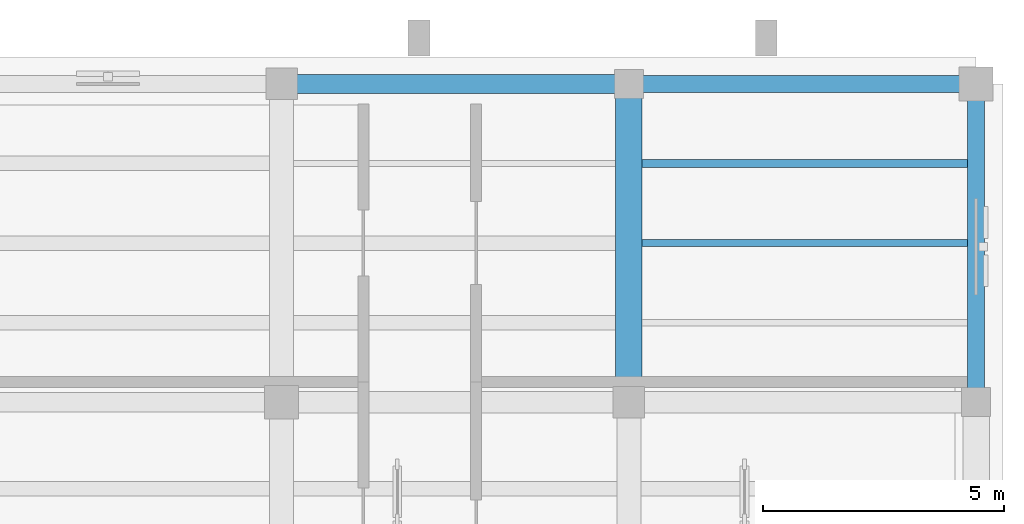
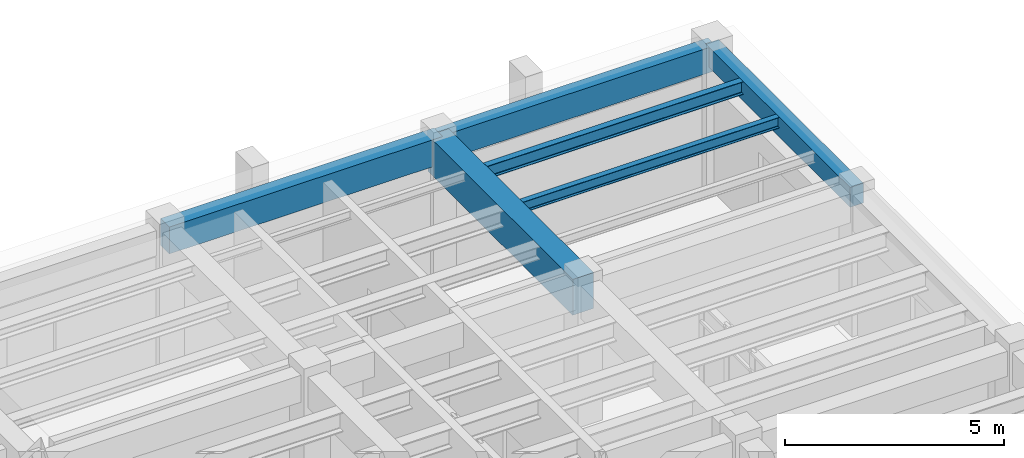
# One storey, part 23 of 66: 6 beams.
"""IFC4 building model written with IfcOpenShell, lengths in metres."""

from ifc_helpers import new_model, si_unit, direction, frame, origin, origin_2d, place, context, subcontext, project, spatial, rectangle, i_section, extrude, material, material_profile, profile_set, type_object, element, save


model = new_model("IFC4")

# Units and contexts
model_context = context("Model", 3, precision=1e-05, world=origin(), true_north=direction((0.0, 1.0)))
body_context = subcontext(model_context, "Body", "Model", "MODEL_VIEW")
ifc_project = project(units=[si_unit("LENGTHUNIT", "METRE"), si_unit("AREAUNIT", "SQUARE_METRE"), si_unit("VOLUMEUNIT", "CUBIC_METRE"), si_unit("PLANEANGLEUNIT", "RADIAN"), si_unit("MASSUNIT", "GRAM", prefix="KILO")], contexts=[model_context])

# Site, building, storey
site_placement = place(None, origin())
site = spatial("IfcSite", under=ifc_project, at=site_placement, CompositionType="ELEMENT")
building_placement = place(site_placement, origin())
building = spatial("IfcBuilding", under=site, at=building_placement, Name="Mithqara Police Headquarters", CompositionType="ELEMENT")
storey_placement = place(building_placement, frame((0.0, 0.0, 9.60009765625)))
storey = spatial("IfcBuildingStorey", under=building, at=storey_placement, Name="L02", CompositionType="ELEMENT", Elevation=9.60009765625)

# Beams
ifc_material_1 = material(Name="Concrete C40/50", Category="concrete")
ifc_material_profile_1 = material_profile(ifc_material_1, rectangle(XDim=0.35009765625, YDim=0.550048828125, at=origin_2d()), Name="RC 350x550")
ifc_profile_set_1 = profile_set([ifc_material_profile_1], Name="Concrete C40/50")
beam_type_1 = type_object("IfcBeamType", Name="BEAM RC350X550", PredefinedType="BEAM", material=ifc_profile_set_1)
beam_1_placement = place(storey_placement, frame((166.199951171875, 107.39990234375, 3.664794921875), z_axis=(0.0, 1.0, 0.0), x_axis=(-1.0, 0.0, 0.0)))
element("IfcBeam", 1, at=beam_1_placement, inside=storey, type_object=beam_type_1, Name="L02 Girder 24/R-S", PredefinedType="BEAM", context=body_context, shape_type="SweptSolid", body=[
    extrude(rectangle(XDim=0.35009765625, YDim=0.550048828125, at=origin_2d()), origin(), (0.0, 0.0, 1.0), 6.60009765625),
])
ifc_material_2 = material(Name="Concrete C50/60", Category="concrete")
ifc_material_profile_2 = material_profile(ifc_material_2, rectangle(XDim=0.550048828125, YDim=1.0, at=origin_2d()), Name="RC 550x1000")
ifc_profile_set_2 = profile_set([ifc_material_profile_2], Name="Concrete C50/60")
beam_type_2 = type_object("IfcBeamType", Name="BEAM RC550X1000", PredefinedType="BEAM", material=ifc_profile_set_2)
beam_2_placement = place(storey_placement, frame((159.0, 107.39990234375, 3.43994140625), z_axis=(0.0, 1.0, 0.0), x_axis=(-1.0, 0.0, 0.0)))
element("IfcBeam", 2, at=beam_2_placement, inside=storey, type_object=beam_type_2, Name="L02 Girder 23/R-S", PredefinedType="BEAM", context=body_context, shape_type="SweptSolid", body=[
    extrude(rectangle(XDim=0.550048828125, YDim=1.0, at=origin_2d()), origin(), (0.0, 0.0, 1.0), 6.60009765625),
])
ifc_material_3 = material(Name="Steel S355JR", Category="steel")
ifc_material_profile_3 = material_profile(ifc_material_3, i_section(OverallWidth=0.14990234375, OverallDepth=0.300048828125, WebThickness=0.007080078125, FlangeThickness=0.0107421875, FilletRadius=0.014892578125, at=origin_2d()), Name="IPE 300")
ifc_profile_set_3 = profile_set([ifc_material_profile_3], Name="Steel S355JR")
beam_type_3 = type_object("IfcBeamType", Name="JOIST IPE300", PredefinedType="JOIST", material=ifc_profile_set_3)
beam_3_placement = place(storey_placement, frame((159.27490234375, 110.699951171875, 3.789794921875), z_axis=(1.0, 0.0, 0.0), x_axis=(0.0, 1.0, 0.0)))
element("IfcBeam", 3, at=beam_3_placement, inside=storey, type_object=beam_type_3, Name="L02 Composite Steel Joist 23-24/R.2", PredefinedType="JOIST", context=body_context, shape_type="SweptSolid", body=[
    extrude(i_section(OverallWidth=0.14990234375, OverallDepth=0.300048828125, WebThickness=0.007080078125, FlangeThickness=0.0107421875, FilletRadius=0.014892578125, at=origin_2d()), origin(), (0.0, 0.0, 1.0), 6.75),
])
ifc_material_profile_4 = material_profile(ifc_material_3, i_section(OverallWidth=0.169921875, OverallDepth=0.360107421875, WebThickness=0.008056640625, FlangeThickness=0.0126953125, FilletRadius=0.01806640625, at=origin_2d()), Name="IPE 360")
ifc_profile_set_4 = profile_set([ifc_material_profile_4], Name="Steel S355JR")
beam_type_4 = type_object("IfcBeamType", Name="JOIST IPE360", PredefinedType="JOIST", material=ifc_profile_set_4)
beam_4_placement = place(storey_placement, frame((159.27490234375, 112.35009765625, 3.760009765625), z_axis=(1.0, 0.0, 0.0), x_axis=(0.0, 1.0, 0.0)))
element("IfcBeam", 4, at=beam_4_placement, inside=storey, type_object=beam_type_4, Name="L02 Composite Steel Joist 23-24/R.3", PredefinedType="JOIST", context=body_context, shape_type="SweptSolid", body=[
    extrude(i_section(OverallWidth=0.169921875, OverallDepth=0.360107421875, WebThickness=0.008056640625, FlangeThickness=0.0126953125, FilletRadius=0.01806640625, at=origin_2d()), origin(), (0.0, 0.0, 1.0), 6.75),
])
ifc_material_profile_5 = material_profile(ifc_material_1, rectangle(XDim=0.35009765625, YDim=0.699951171875, at=origin_2d()), Name="SPB 350x700")
ifc_profile_set_5 = profile_set([ifc_material_profile_5], Name="Concrete C40/50")
beam_type_5 = type_object("IfcBeamType", Name="SPANDREL 350X700", PredefinedType="SPANDREL", material=ifc_profile_set_5)
beam_5_placement = place(storey_placement, frame((159.0, 114.0, 3.58984375), z_axis=(1.0, 0.0, 0.0), x_axis=(0.0, 1.0, 0.0)))
element("IfcBeam", 5, at=beam_5_placement, inside=storey, type_object=beam_type_5, Name="L02 Girder 23-24/S", PredefinedType="SPANDREL", context=body_context, shape_type="SweptSolid", body=[
    extrude(rectangle(XDim=0.35009765625, YDim=0.699951171875, at=origin_2d()), origin(), (0.0, 0.0, 1.0), 7.199951171875),
])
ifc_material_profile_6 = material_profile(ifc_material_1, rectangle(XDim=0.39990234375, YDim=0.75, at=origin_2d()), Name="SPB 400x750")
ifc_profile_set_6 = profile_set([ifc_material_profile_6], Name="Concrete C40/50")
beam_type_6 = type_object("IfcBeamType", Name="SPANDREL 400X750", PredefinedType="SPANDREL", material=ifc_profile_set_6)
beam_6_placement = place(storey_placement, frame((151.800048828125, 114.0, 3.56494140625), z_axis=(1.0, 0.0, 0.0), x_axis=(0.0, 1.0, 0.0)))
element("IfcBeam", 6, at=beam_6_placement, inside=storey, type_object=beam_type_6, Name="L02 Girder 22-23/S", PredefinedType="SPANDREL", context=body_context, shape_type="SweptSolid", body=[
    extrude(rectangle(XDim=0.39990234375, YDim=0.75, at=origin_2d()), origin(), (0.0, 0.0, 1.0), 7.199951171875),
])

save(model, "model.ifc")
